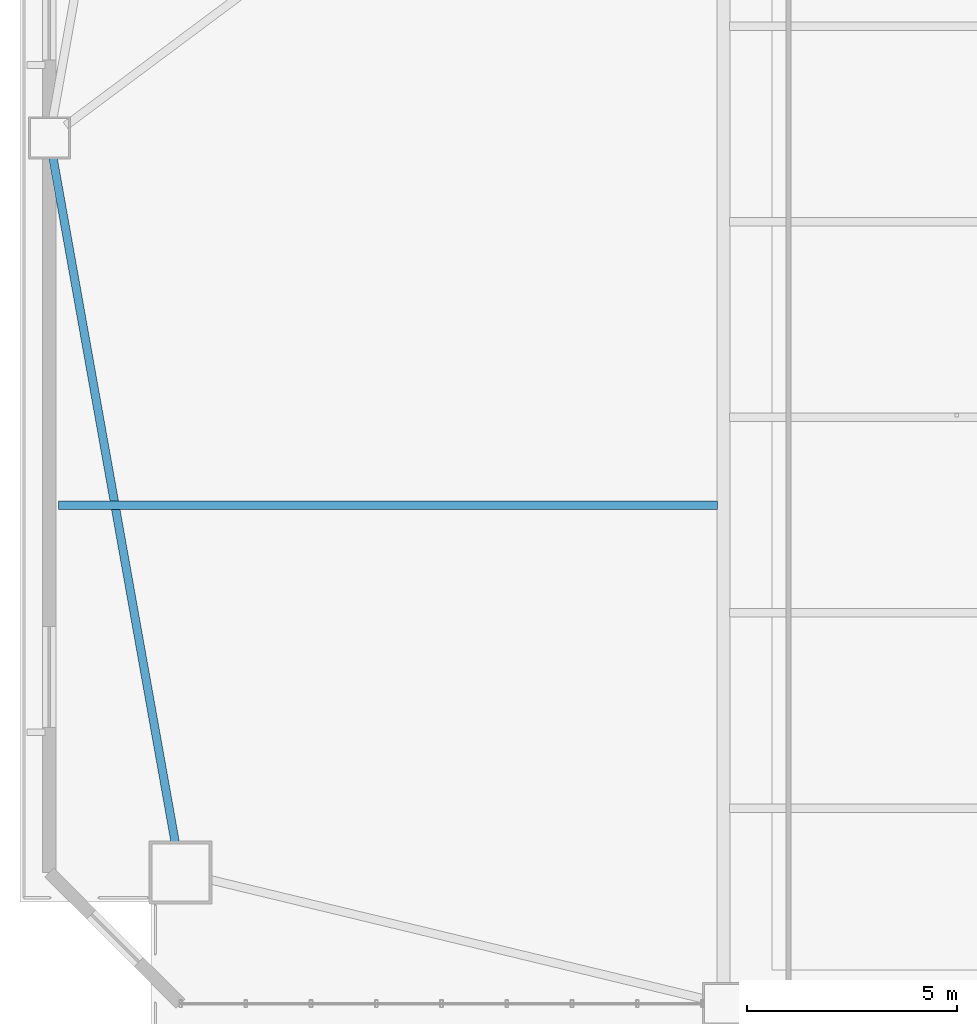
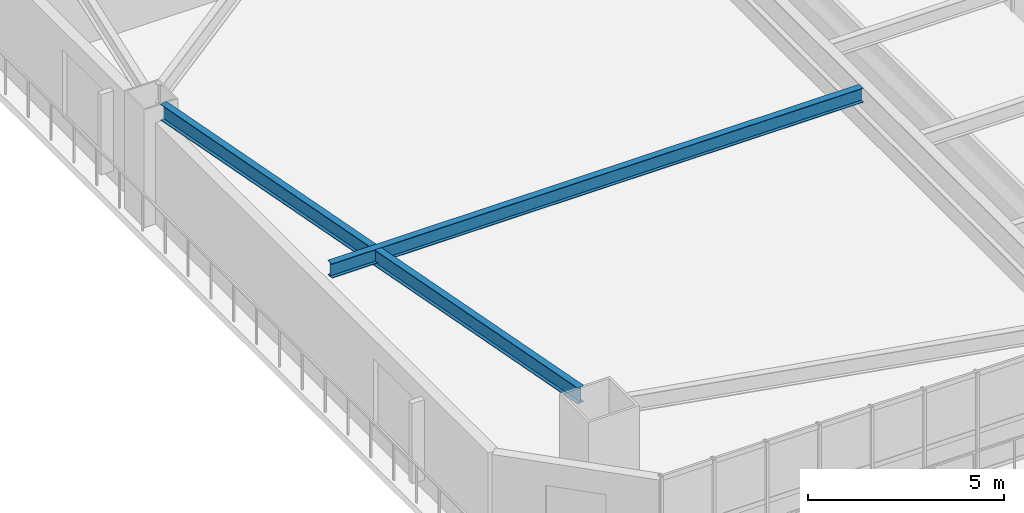
# One storey, part 3 of 18: 2 beams.
"""IFC4 building model written with IfcOpenShell, lengths in metres."""

from ifc_helpers import new_model, si_unit, direction, frame, origin, origin_2d, place, context, subcontext, project, spatial, i_section, extrude, source, transform, mapped, material, material_profile, profile_set, type_object, element, save


model = new_model("IFC4")

# Units and contexts
model_context = context("Model", 3, precision=1e-05, world=origin(), true_north=direction((0.0, 1.0)))
body_context = subcontext(model_context, "Body", "Model", "MODEL_VIEW")
ifc_project = project(units=[si_unit("LENGTHUNIT", "METRE"), si_unit("AREAUNIT", "SQUARE_METRE"), si_unit("VOLUMEUNIT", "CUBIC_METRE"), si_unit("PLANEANGLEUNIT", "RADIAN"), si_unit("MASSUNIT", "GRAM", prefix="KILO")], contexts=[model_context])

# Site, building, storey
site_placement = place(None, origin())
site = spatial("IfcSite", under=ifc_project, at=site_placement, CompositionType="ELEMENT")
building_placement = place(site_placement, origin())
building = spatial("IfcBuilding", under=site, at=building_placement, Name="Giltprow Tower", CompositionType="ELEMENT")
storey_placement = place(building_placement, frame((0.0, 0.0, 65.0)))
storey = spatial("IfcBuildingStorey", under=building, at=storey_placement, Name="L16", CompositionType="ELEMENT", Elevation=65.0)

# Beams
ifc_material = material(Name="Structural steel Q355B", Category="steel")
ifc_material_profile_1 = material_profile(ifc_material, i_section(OverallWidth=0.199951171875, OverallDepth=0.449951171875, WebThickness=0.009033203125, FlangeThickness=0.013916015625, at=origin_2d()), Name="HN 450x200x9x14")
ifc_profile_set_1 = profile_set([ifc_material_profile_1], Name="Structural steel Q355B")
beam_type_1 = type_object("IfcBeamType", Name="BM-JOIST-HN450", PredefinedType="JOIST", material=ifc_profile_set_1)
shared_shape_1 = source(origin(), body_context, "Body", "SweptSolid", [
    extrude(i_section(OverallWidth=0.199951171875, OverallDepth=0.449951171875, WebThickness=0.009033203125, FlangeThickness=0.013916015625, at=origin_2d()), origin(), (0.0, 0.0, 1.0), 15.68017578125),
])
beam_1_placement = place(storey_placement, frame((4.02490234375, 16.7470703125, 3.455078125), z_axis=(1.0, 0.0, 0.0), x_axis=(0.0, 1.0, 0.0)))
element("IfcBeam", 1, at=beam_1_placement, inside=storey, type_object=beam_type_1, Name="L16 West Wing Floor Joist 1", PredefinedType="JOIST", context=body_context, shape_type="MappedRepresentation", body=[
    mapped(shared_shape_1, transform((0.0, 0.0, 0.0), x_axis=(1.0, 0.0, 0.0), y_axis=(0.0, 1.0, 0.0), z_axis=(0.0, 0.0, 1.0), scale=1.0)),
])
ifc_material_profile_2 = material_profile(ifc_material, i_section(OverallWidth=0.199951171875, OverallDepth=0.5, WebThickness=0.010009765625, FlangeThickness=0.01611328125, at=origin_2d()), Name="HN 500x200x10x16")
ifc_profile_set_2 = profile_set([ifc_material_profile_2], Name="Structural steel Q355B")
beam_type_2 = type_object("IfcBeamType", Name="BM-SPAN-HN500", PredefinedType="SPANDREL", material=ifc_profile_set_2)
shared_shape_2 = source(origin(), body_context, "Body", "SweptSolid", [
    extrude(i_section(OverallWidth=0.199951171875, OverallDepth=0.5, WebThickness=0.010009765625, FlangeThickness=0.01611328125, at=origin_2d()), origin(), (0.0, 0.0, 1.0), 16.54345703125),
])
beam_2_placement = place(storey_placement, frame((3.889892578125, 25.013916015625, 3.429931640625), z_axis=(0.175791149249, -0.9844274843, 0.0), x_axis=(0.9844274843, 0.175791149249, 0.0)))
element("IfcBeam", 2, at=beam_2_placement, inside=storey, type_object=beam_type_2, Name="L16 Perimeter Spandrel Beam W_MID-MC_SW", PredefinedType="SPANDREL", context=body_context, shape_type="MappedRepresentation", body=[
    mapped(shared_shape_2, transform((0.0, 0.0, 0.0), x_axis=(1.0, 0.0, 0.0), y_axis=(0.0, 1.0, 0.0), z_axis=(0.0, 0.0, 1.0), scale=1.0)),
])

save(model, "model.ifc")
